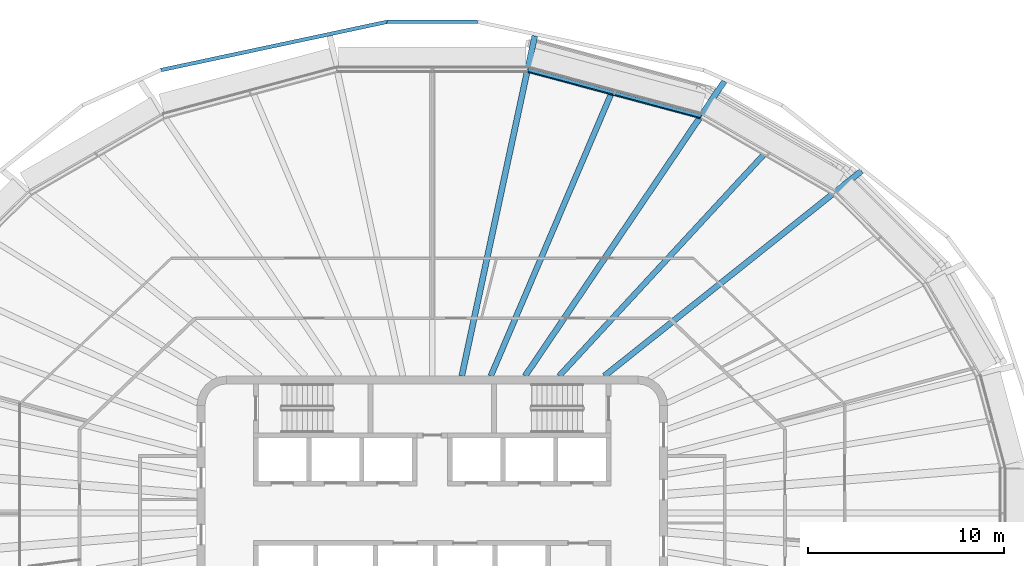
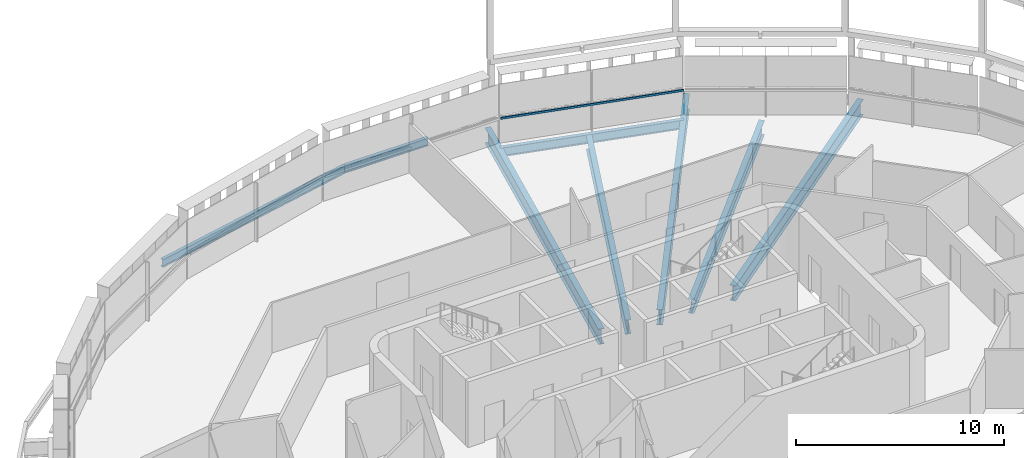
# One storey, part 6 of 19: 8 beams, 1 member, 1 element without a shape of its own.
"""IFC4 building model written with IfcOpenShell, lengths in metres."""

from ifc_helpers import new_model, si_unit, direction, frame, origin, origin_2d, place, context, subcontext, project, spatial, rectangle, i_section, extrude, material, layer, layer_set, material_profile, profile_set, type_object, element, aggregate, save


model = new_model("IFC4")

# Units and contexts
model_context = context("Model", 3, precision=1e-05, world=origin(), true_north=direction((0.0, 1.0)))
body_context = subcontext(model_context, "Body", "Model", "MODEL_VIEW")
ifc_project = project(units=[si_unit("LENGTHUNIT", "METRE"), si_unit("AREAUNIT", "SQUARE_METRE"), si_unit("VOLUMEUNIT", "CUBIC_METRE"), si_unit("PLANEANGLEUNIT", "RADIAN"), si_unit("MASSUNIT", "GRAM", prefix="KILO")], contexts=[model_context])

# Site, building, storey
site_placement = place(None, origin())
site = spatial("IfcSite", under=ifc_project, at=site_placement, CompositionType="ELEMENT")
building_placement = place(site_placement, origin())
building = spatial("IfcBuilding", under=site, at=building_placement, Name="Sahrelin Media Tower", CompositionType="ELEMENT")
storey_placement = place(building_placement, frame((0.0, 0.0, 279.0)))
storey = spatial("IfcBuildingStorey", under=building, at=storey_placement, Name="L61", CompositionType="ELEMENT", Elevation=279.0)

# Beams
ifc_material_1 = material(Name="Steel S355", Category="steel")
ifc_material_profile_1 = material_profile(ifc_material_1, i_section(OverallWidth=0.208740234375, OverallDepth=0.5283203125, WebThickness=0.009521484375, FlangeThickness=0.01318359375, FilletRadius=0.0126953125, at=origin_2d()), Name="UB 533x210x82")
ifc_profile_set_1 = profile_set([ifc_material_profile_1], Name="Steel S355")
beam_type_1 = type_object("IfcBeamType", Name="Edge beam EB6", PredefinedType="BEAM", material=ifc_profile_set_1)
beam_1_placement = place(storey_placement, frame((4.88330078125, 22.61181640625, -0.4140625), z_axis=(0.96592253305, -0.258831335326, 0.0), x_axis=(0.258831335326, 0.96592253305, 0.0)))
element("IfcBeam", 1, at=beam_1_placement, inside=storey, type_object=beam_type_1, Name="Edge beam L61-16", PredefinedType="BEAM", context=body_context, shape_type="SweptSolid", body=[
    extrude(i_section(OverallWidth=0.208740234375, OverallDepth=0.5283203125, WebThickness=0.009521484375, FlangeThickness=0.01318359375, FilletRadius=0.0126953125, at=origin_2d()), origin(), (0.0, 0.0, 1.0), 9.13916015625),
])
ifc_material_profile_2 = material_profile(ifc_material_1, i_section(OverallWidth=0.30322265625, OverallDepth=0.903076171875, WebThickness=0.01513671875, FlangeThickness=0.020263671875, FilletRadius=0.01904296875, at=origin_2d()), Name="UB 914x305x201")
ifc_profile_set_2 = profile_set([ifc_material_profile_2], Name="Steel S355")
beam_type_2 = type_object("IfcBeamType", Name="Radial primary beam PB11", PredefinedType="BEAM", material=ifc_profile_set_2)
beam_2_placement = place(storey_placement, frame((8.77880859375, 7.0, -0.6015625), z_axis=(0.781873501952, 0.62343710745, 0.0), x_axis=(-0.62343710745, 0.781873501952, 0.0)))
element("IfcBeam", 2, at=beam_2_placement, inside=storey, type_object=beam_type_2, Name="Radial beam L61-04", PredefinedType="BEAM", context=body_context, shape_type="SweptSolid", body=[
    extrude(i_section(OverallWidth=0.30322265625, OverallDepth=0.903076171875, WebThickness=0.01513671875, FlangeThickness=0.020263671875, FilletRadius=0.01904296875, at=origin_2d()), origin(), (0.0, 0.0, 1.0), 16.79150390625),
])
beam_3_placement = place(storey_placement, frame((4.7333984375, 7.0, -0.6015625), z_axis=(0.560166073141, 0.828380329621, 0.0), x_axis=(-0.828380329621, 0.560166073141, 0.0)))
element("IfcBeam", 3, at=beam_3_placement, inside=storey, type_object=beam_type_2, Name="Radial beam L61-05", PredefinedType="BEAM", context=body_context, shape_type="SweptSolid", body=[
    extrude(i_section(OverallWidth=0.30322265625, OverallDepth=0.903076171875, WebThickness=0.01513671875, FlangeThickness=0.020263671875, FilletRadius=0.01904296875, at=origin_2d()), origin(), (0.0, 0.0, 1.0), 18.153076171875),
])
beam_4_placement = place(storey_placement, frame((1.50341796875, 7.0, -0.6015625), z_axis=(0.209955483333, 0.977710946558, 0.0), x_axis=(-0.977710946558, 0.209955483333, 0.0)))
element("IfcBeam", 4, at=beam_4_placement, inside=storey, type_object=beam_type_2, Name="Radial beam L61-06", PredefinedType="BEAM", context=body_context, shape_type="SweptSolid", body=[
    extrude(i_section(OverallWidth=0.30322265625, OverallDepth=0.903076171875, WebThickness=0.01513671875, FlangeThickness=0.020263671875, FilletRadius=0.01904296875, at=origin_2d()), origin(), (0.0, 0.0, 1.0), 17.751708984375),
])
ifc_material_profile_3 = material_profile(ifc_material_1, i_section(OverallWidth=0.291748046875, OverallDepth=0.8349609375, WebThickness=0.013916015625, FlangeThickness=0.018798828125, FilletRadius=0.017822265625, at=origin_2d()), Name="UB 838x292x176")
ifc_profile_set_3 = profile_set([ifc_material_profile_3], Name="Steel S355")
beam_type_3 = type_object("IfcBeamType", Name="Radial secondary beam SB10", PredefinedType="BEAM", material=ifc_profile_set_3)
beam_5_placement = place(storey_placement, frame((6.470703125, 7.0, -0.5673828125), z_axis=(0.67879267534, 0.734329969363, 0.0), x_axis=(-0.734329969363, 0.67879267534, 0.0)))
element("IfcBeam", 5, at=beam_5_placement, inside=storey, type_object=beam_type_3, Name="Secondary beam L61-04", PredefinedType="BEAM", context=body_context, shape_type="SweptSolid", body=[
    extrude(i_section(OverallWidth=0.291748046875, OverallDepth=0.8349609375, WebThickness=0.013916015625, FlangeThickness=0.018798828125, FilletRadius=0.017822265625, at=origin_2d()), origin(), (0.0, 0.0, 1.0), 15.385986328125),
])
beam_6_placement = place(storey_placement, frame((2.98486328125, 7.0, -0.5673828125), z_axis=(0.392226786063, 0.919868549465, 0.0), x_axis=(-0.919868549465, 0.392226786063, 0.0)))
element("IfcBeam", 6, at=beam_6_placement, inside=storey, type_object=beam_type_3, Name="Secondary beam L61-05", PredefinedType="BEAM", context=body_context, shape_type="SweptSolid", body=[
    extrude(i_section(OverallWidth=0.291748046875, OverallDepth=0.8349609375, WebThickness=0.013916015625, FlangeThickness=0.018798828125, FilletRadius=0.017822265625, at=origin_2d()), origin(), (0.0, 0.0, 1.0), 15.6220703125),
])
ifc_material_profile_4 = material_profile(ifc_material_1, i_section(OverallWidth=0.1904296875, OverallDepth=0.45703125, WebThickness=0.009033203125, FlangeThickness=0.014404296875, FilletRadius=0.01025390625, at=origin_2d()), Name="UB 457x191x74")
ifc_profile_set_4 = profile_set([ifc_material_profile_4], Name="Steel S355")
beam_type_4 = type_object("IfcBeamType", Name="Tie chord TC5", PredefinedType="BEAM", material=ifc_profile_set_4)
beam_7_placement = place(storey_placement, frame((2.3134765625, 25.07568359375, -0.37841796875), z_axis=(-1.0, 0.0, 0.0), x_axis=(0.0, -1.0, 0.0)))
element("IfcBeam", 7, at=beam_7_placement, inside=storey, type_object=beam_type_4, Name="Tie chord L61-06", PredefinedType="BEAM", context=body_context, shape_type="SweptSolid", body=[
    extrude(i_section(OverallWidth=0.1904296875, OverallDepth=0.45703125, WebThickness=0.009033203125, FlangeThickness=0.014404296875, FilletRadius=0.01025390625, at=origin_2d()), origin(), (0.0, 0.0, 1.0), 4.626953125),
])
beam_8_placement = place(storey_placement, frame((-2.3134765625, 25.07568359375, -0.37841796875), z_axis=(-0.977987429466, -0.208663815278, 0.0), x_axis=(0.208663815278, -0.977987429466, 0.0)))
element("IfcBeam", 8, at=beam_8_placement, inside=storey, type_object=beam_type_4, Name="Tie chord L61-07", PredefinedType="BEAM", context=body_context, shape_type="SweptSolid", body=[
    extrude(i_section(OverallWidth=0.1904296875, OverallDepth=0.45703125, WebThickness=0.009033203125, FlangeThickness=0.014404296875, FilletRadius=0.01025390625, at=origin_2d()), origin(), (0.0, 0.0, 1.0), 11.793701171875),
])

# Curtain wall, member
ifc_material_2 = material(Name="Champagne anodised aluminium 6063-T6", Category="aluminium")
ifc_layer = layer(ifc_material_2, 0.14990234375)
ifc_layer_set = layer_set([ifc_layer], Name="Tower ribbon curtain wall")
curtain_wall_type = type_object("IfcCurtainWallType", Name="Tower ribbon curtain wall", PredefinedType="NOTDEFINED", material=ifc_layer_set)
curtain_wall_placement = place(storey_placement, frame((9.3359375, 21.573974609375, 0.0), z_axis=(0.0, 0.0, 1.0), x_axis=(1.0, 0.0, 0.0)))
curtain_wall = element("IfcCurtainWall", 9, at=curtain_wall_placement, inside=storey, type_object=curtain_wall_type, Name="L61:CW:L61-05", PredefinedType="NOTDEFINED")
ifc_material_profile_5 = material_profile(ifc_material_2, rectangle(XDim=0.050048828125, YDim=0.1201171875, at=origin_2d()), Name="Transom 50x120")
ifc_profile_set_5 = profile_set([ifc_material_profile_5], Name="Champagne anodised aluminium 6063-T6")
member_type = type_object("IfcMemberType", Name="Transom 50x120 CW1C", PredefinedType="USERDEFINED", material=ifc_profile_set_5)
member_placement = place(storey_placement, frame((13.671142578125, 20.15869140625, 1.60009765625), z_axis=(-0.965927710726, 0.258812012185, 0.0), x_axis=(-0.258812012185, -0.965927710726, 0.0)))
member = element("IfcMember", 10, at=member_placement, type_object=member_type, Name="L61:CWT:L61-05", ObjectType="TRANSOM", PredefinedType="USERDEFINED", context=body_context, shape_type="SweptSolid", body=[
    extrude(rectangle(XDim=0.050048828125, YDim=0.1201171875, at=origin_2d()), origin(), (0.0, 0.0, 1.0), 9.107666015625),
])
aggregate(curtain_wall, [member])

save(model, "model.ifc")
